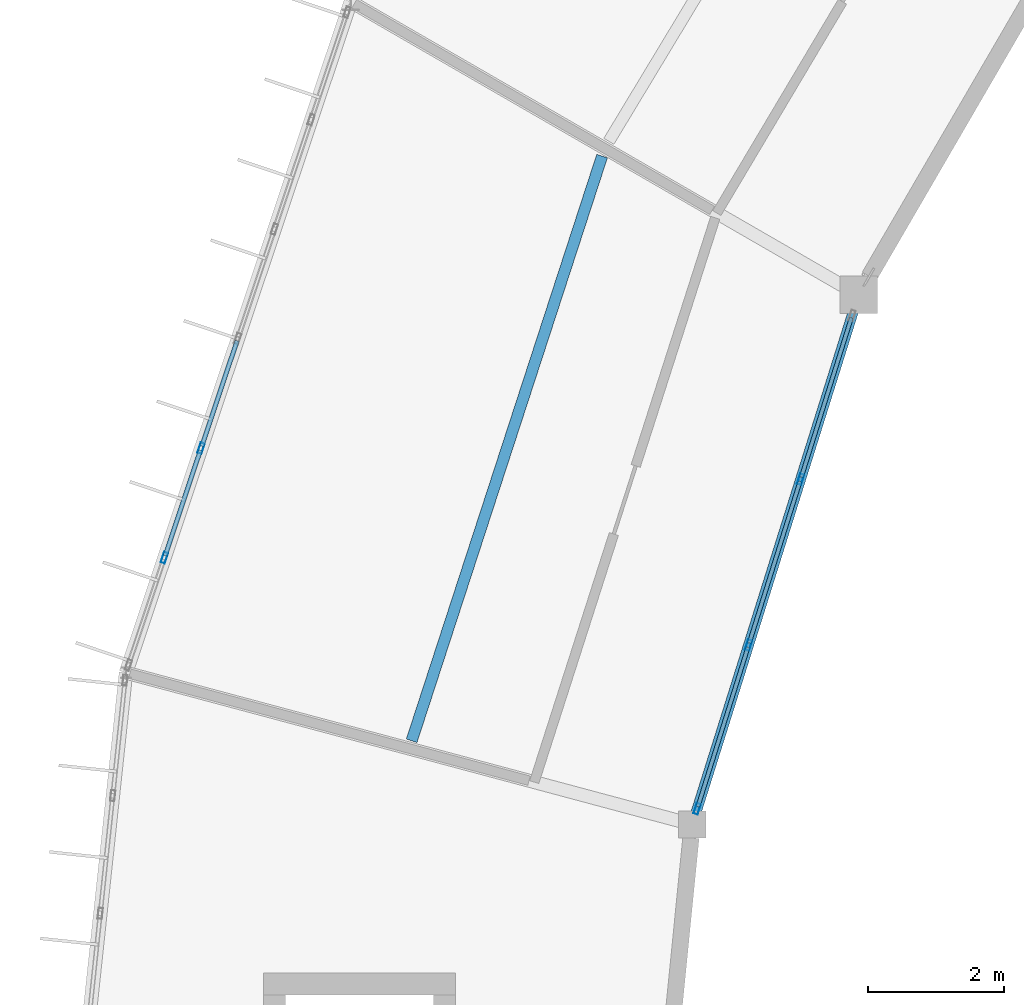
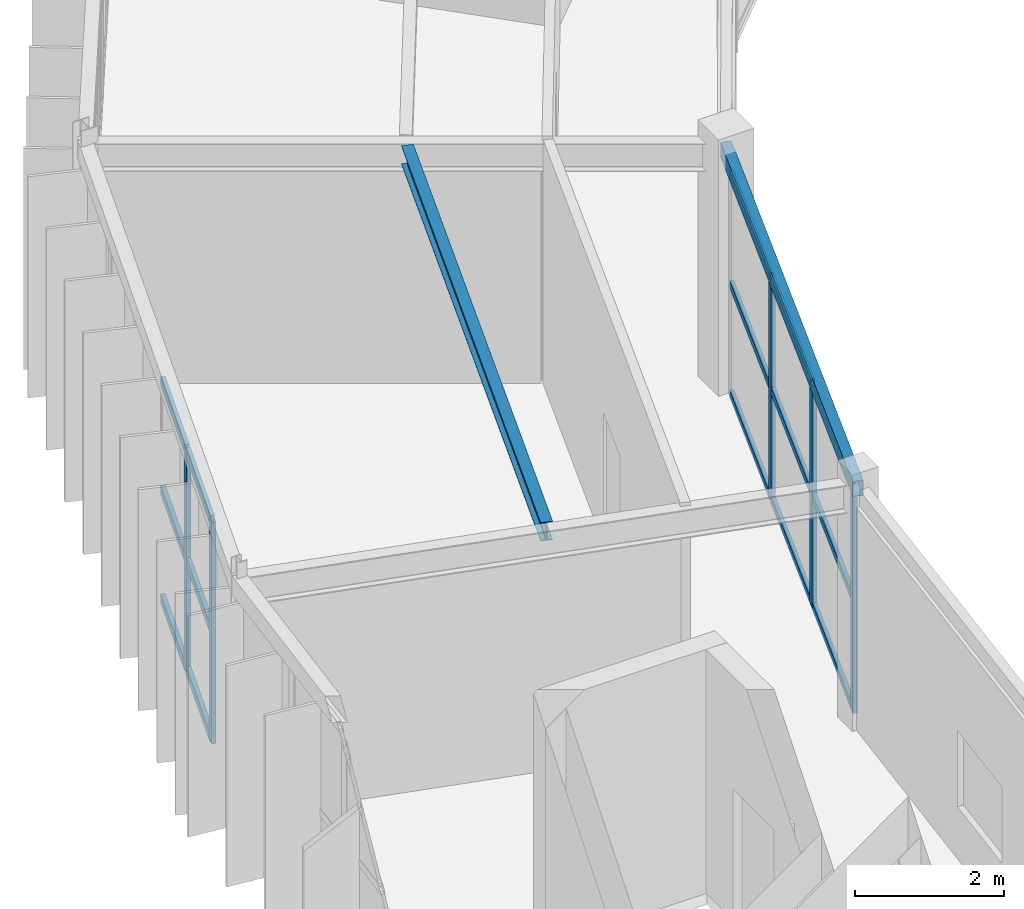
# One storey, part 40 of 130: 20 members, 2 beams, 2 elements without a shape of their own.
"""IFC4 building model written with IfcOpenShell, lengths in metres."""

import ifcopenshell
import ifcopenshell.guid

model = None  # the IFC model being written
_history = None  # IfcOwnerHistory: only IFC2X3 demands one
_inside = {}  # id of a spatial element -> (the spatial element, [elements in it])
_under = {}  # id of a project, library or spatial element -> (it, [spatial elements below it])
_declared = {}  # id of a project -> (the project, [libraries it declares])
_typed = {}  # id of a type object -> (the type object, [elements of that type])
_made_of = {}  # id of a material, layer set ... -> (it, [elements and type objects made of it])


def new_model(schema):
    """Start an empty IFC model of exactly this schema.

    Asked for "IFC4X3", IfcOpenShell would pick the latest addendum, in which some entities
    have other attributes; the version numbers below select the first issue.
    IFC2X3 requires an IfcOwnerHistory on every rooted entity: one is made here for all.
    """
    global model, _history
    if schema == "IFC4X3":
        model = ifcopenshell.file(schema_version=(4, 3, 0, 0))
    else:
        model = ifcopenshell.file(schema=schema)
    _inside.clear()
    _under.clear()
    _declared.clear()
    _typed.clear()
    _made_of.clear()
    _history = None
    if model.schema == "IFC2X3":
        org = make("IfcOrganization", Name="unknown")
        user = make(
            "IfcPersonAndOrganization",
            ThePerson=make("IfcPerson", FamilyName="unknown"),
            TheOrganization=org,
        )
        app = make(
            "IfcApplication",
            ApplicationDeveloper=org,
            Version="unknown",
            ApplicationFullName="unknown",
            ApplicationIdentifier="unknown",
        )
        _history = make(
            "IfcOwnerHistory",
            OwningUser=user,
            OwningApplication=app,
            ChangeAction="ADDED",
            CreationDate=0,
        )
    return model


def make(cls, **values):
    """One entity of the class cls with the attributes given. An attribute that is None is left unset."""
    return model.create_entity(
        cls, **{name: value for name, value in values.items() if value is not None}
    )


def rooted(cls, **values):
    """An entity with a GlobalId (a new one), such as an element, a storey or a relation."""
    return make(cls, GlobalId=ifcopenshell.guid.new(), OwnerHistory=_history, **values)


def si_unit(unit_type, name, prefix=None):
    """IfcSIUnit, for example si_unit("LENGTHUNIT", "METRE", prefix="MILLI")."""
    return make("IfcSIUnit", UnitType=unit_type, Prefix=prefix, Name=name)


def assignment(units):
    """IfcUnitAssignment: the units of a project."""
    return None if units is None else make("IfcUnitAssignment", Units=units)


def point(xyz):
    """IfcCartesianPoint."""
    return None if xyz is None else make("IfcCartesianPoint", Coordinates=xyz)


def direction(xyz):
    """IfcDirection."""
    return None if xyz is None else make("IfcDirection", DirectionRatios=xyz)


def frame(location, z_axis=None, x_axis=None):
    """IfcAxis2Placement3D, a coordinate frame: its origin and axes. An axis left out is left unset."""
    return make(
        "IfcAxis2Placement3D",
        Location=point(location),
        Axis=direction(z_axis),
        RefDirection=direction(x_axis),
    )


def frame_2d(location, x_axis=None):
    """IfcAxis2Placement2D, a coordinate frame in the plane: its origin and x axis."""
    return make(
        "IfcAxis2Placement2D", Location=point(location), RefDirection=direction(x_axis)
    )


def origin():
    """The frame at (0, 0, 0) with its axes left unset."""
    return frame((0.0, 0.0, 0.0))


def origin_2d():
    """The frame at (0, 0) in the plane with its x axis left unset."""
    return frame_2d((0.0, 0.0))


def place(relative_to, where):
    """IfcLocalPlacement: puts the frame where relative to a parent placement (None: the world)."""
    return make(
        "IfcLocalPlacement", PlacementRelTo=relative_to, RelativePlacement=where
    )


def context(
    kind, dimensions, precision=None, world=None, true_north=None, identifier=None
):
    """IfcGeometricRepresentationContext, for example the 3D "Model" context."""
    return make(
        "IfcGeometricRepresentationContext",
        ContextIdentifier=identifier,
        ContextType=kind,
        CoordinateSpaceDimension=dimensions,
        Precision=precision,
        WorldCoordinateSystem=world,
        TrueNorth=true_north,
    )


def subcontext(parent, identifier, kind, view, scale=None):
    """IfcGeometricRepresentationSubContext, for example "Body" below "Model"."""
    return make(
        "IfcGeometricRepresentationSubContext",
        ContextIdentifier=identifier,
        ContextType=kind,
        ParentContext=parent,
        TargetScale=scale,
        TargetView=view,
    )


def project(units=None, contexts=None):
    """IfcProject with its units and contexts."""
    return rooted(
        "IfcProject",
        Name="project",
        RepresentationContexts=contexts,
        UnitsInContext=assignment(units),
    )


def spatial(cls, under=None, at=None, **own):
    """A site, building, storey or space (cls), placed at a placement, below another one or the project."""
    s = rooted(cls, ObjectPlacement=at, **own)
    if under is not None:
        _under.setdefault(under.id(), (under, []))[1].append(s)
    return s


def profile(cls, at=None, kind="AREA", **sizes):
    """A parametric profile (cls). Its sizes go by their IFC names, for example OverallWidth=200.0."""
    return make(cls, ProfileType=kind, Position=at, **sizes)


def hollow_rectangle(**sizes):
    """IfcRectangleHollowProfileDef."""
    return profile("IfcRectangleHollowProfileDef", **sizes)


def i_section(**sizes):
    """IfcIShapeProfileDef."""
    return profile("IfcIShapeProfileDef", **sizes)


def extrude(swept, where, along, depth):
    """IfcExtrudedAreaSolid: the profile swept, set in the frame where, extruded along a direction by depth."""
    return make(
        "IfcExtrudedAreaSolid",
        SweptArea=swept,
        Position=where,
        ExtrudedDirection=direction(along),
        Depth=depth,
    )


def shape(context_of_items, identifier, shape_type, items):
    """IfcShapeRepresentation: the items that make up one representation, for example the "Body"."""
    return make(
        "IfcShapeRepresentation",
        ContextOfItems=context_of_items,
        RepresentationIdentifier=identifier,
        RepresentationType=shape_type,
        Items=items,
    )


def material(Name=None, Category=None):
    """IfcMaterial."""
    return make("IfcMaterial", Name=Name, Category=Category)


def material_profile(
    of_material, cross_section, Name=None, Category=None, Priority=None
):
    """IfcMaterialProfile: a cross section and its material."""
    return make(
        "IfcMaterialProfile",
        Name=Name,
        Material=of_material,
        Profile=cross_section,
        Priority=Priority,
        Category=Category,
    )


def profile_set(profiles, Name=None, composite=None):
    """IfcMaterialProfileSet."""
    return make(
        "IfcMaterialProfileSet",
        Name=Name,
        MaterialProfiles=profiles,
        CompositeProfile=composite,
    )


def made_of(thing, what):
    """Note that an element or type object is made of a material, layer set ...; save() writes the relation."""
    if what is not None:
        _made_of.setdefault(what.id(), (what, []))[1].append(thing)
    return thing


def type_object(cls, material=None, **own):
    """A type object (cls), such as IfcWallType, which elements share."""
    return made_of(rooted(cls, **own), material)


def element(
    cls,
    number,
    at=None,
    inside=None,
    cuts=None,
    type_object=None,
    material=None,
    context=None,
    identifier="Body",
    shape_type=None,
    held_by="IfcProductDefinitionShape",
    body=None,
    shapes=None,
    **own,
):
    """One element of the class cls, such as IfcWall. Its Tag is "e" and its number.

    at: its placement. inside: the storey or other place that contains it. cuts: it is an
    opening in that element (IfcRelVoidsElement). A single representation is given by context,
    identifier, shape_type and body (its items); several are given by shapes. held_by: the class
    of the entity that holds the representations. save() writes the other relations.
    """
    e = rooted(cls, Tag="e%d" % number, ObjectPlacement=at, **own)
    if body is not None:
        shapes = [shape(context, identifier, shape_type, body)]
    if shapes is not None:
        e.Representation = make(held_by, Representations=shapes)
    if inside is not None:
        _inside.setdefault(inside.id(), (inside, []))[1].append(e)
    if cuts is not None:
        rooted(
            "IfcRelVoidsElement", RelatingBuildingElement=cuts, RelatedOpeningElement=e
        )
    if type_object is not None:
        _typed.setdefault(type_object.id(), (type_object, []))[1].append(e)
    return made_of(e, material)


def aggregate(whole, parts):
    """IfcRelAggregates: a whole, such as a stair, and the parts it consists of."""
    return rooted("IfcRelAggregates", RelatingObject=whole, RelatedObjects=parts)


def save(model, path):
    """Write the relations noted so far, then the file.

    IfcRelAggregates (storeys below a building ...), IfcRelContainedInSpatialStructure (elements
    in a storey), IfcRelDefinesByType, IfcRelAssociatesMaterial and IfcRelDeclares: one each for
    every whole, place, type object, material and project.
    """
    for whole, parts in _under.values():
        aggregate(whole, parts)
    for where, things in _inside.values():
        rooted(
            "IfcRelContainedInSpatialStructure",
            RelatedElements=things,
            RelatingStructure=where,
        )
    for kind, things in _typed.values():
        rooted("IfcRelDefinesByType", RelatedObjects=things, RelatingType=kind)
    for what, things in _made_of.values():
        rooted("IfcRelAssociatesMaterial", RelatedObjects=things, RelatingMaterial=what)
    for by, libraries in _declared.values():
        rooted("IfcRelDeclares", RelatingContext=by, RelatedDefinitions=libraries)
    model.write(path)


model = new_model("IFC4")

# Units and contexts
model_context = context("Model", 3, precision=1e-05, world=origin(), true_north=direction((0.0, 1.0)))
body_context = subcontext(model_context, "Body", "Model", "MODEL_VIEW")
ifc_project = project(units=[si_unit("LENGTHUNIT", "METRE"), si_unit("AREAUNIT", "SQUARE_METRE"), si_unit("VOLUMEUNIT", "CUBIC_METRE"), si_unit("PLANEANGLEUNIT", "RADIAN"), si_unit("MASSUNIT", "GRAM", prefix="KILO")], contexts=[model_context])

# Site, building, storey
site_placement = place(None, origin())
site = spatial("IfcSite", under=ifc_project, at=site_placement, CompositionType="ELEMENT")
building_placement = place(site_placement, origin())
building = spatial("IfcBuilding", under=site, at=building_placement, Name="Karori Crest Natural Sciences Institute", CompositionType="ELEMENT")
storey_placement = place(building_placement, frame((0.0, 0.0, 17.5)))
storey = spatial("IfcBuildingStorey", under=building, at=storey_placement, Name="L04", CompositionType="ELEMENT", Elevation=17.5)

# Beams
ifc_material_1 = material(Name="Structural steel AS/NZS 3679.1 Grade 350", Category="steel")
ifc_material_profile_1 = material_profile(ifc_material_1, i_section(OverallWidth=0.1650390625, OverallDepth=0.303955078125, WebThickness=0.006103515625, FlangeThickness=0.01025390625, FilletRadius=0.010986328125, at=origin_2d()), Name="310UB40.4")
ifc_profile_set_1 = profile_set([ifc_material_profile_1], Name="Structural steel AS/NZS 3679.1 Grade 350")
beam_type_1 = type_object("IfcBeamType", Name="BT-10", PredefinedType="BEAM", material=ifc_profile_set_1)
beam_1_placement = place(storey_placement, frame((41.5078125, 68.035888671875, 3.7880859375), z_axis=(-0.309674277679, -0.950842700842, 0.0), x_axis=(0.950842700842, -0.309674277679, 0.0)))
element("IfcBeam", 1, at=beam_1_placement, inside=storey, type_object=beam_type_1, Name="Beam B-0492", PredefinedType="BEAM", context=body_context, shape_type="SweptSolid", body=[
    extrude(i_section(OverallWidth=0.1650390625, OverallDepth=0.303955078125, WebThickness=0.006103515625, FlangeThickness=0.01025390625, FilletRadius=0.010986328125, at=origin_2d()), origin(), (0.0, 0.0, 1.0), 9.018310546875),
])
ifc_material_2 = material(Name="Hollow structural steel AS/NZS 1163 Grade C350", Category="steel")
ifc_material_profile_2 = material_profile(ifc_material_2, hollow_rectangle(XDim=0.14990234375, YDim=0.25, WallThickness=0.009033203125, at=origin_2d()), Name="RHS250x150x9")
ifc_profile_set_2 = profile_set([ifc_material_profile_2], Name="Hollow structural steel AS/NZS 1163 Grade C350")
beam_type_2 = type_object("IfcBeamType", Name="BT-16", PredefinedType="SPANDREL", material=ifc_profile_set_2)
beam_2_placement = place(storey_placement, frame((45.26904296875, 66.0, 3.7900390625), z_axis=(-0.299487310016, -0.954100283586, 0.0), x_axis=(0.954100283586, -0.299487310016, 0.0)))
element("IfcBeam", 2, at=beam_2_placement, inside=storey, type_object=beam_type_2, Name="Beam B-0490", PredefinedType="SPANDREL", context=body_context, shape_type="SweptSolid", body=[
    extrude(hollow_rectangle(XDim=0.14990234375, YDim=0.25, WallThickness=0.009033203125, at=origin_2d()), origin(), (0.0, 0.0, 1.0), 8.1396484375),
])

# Curtain wall, members
ifc_material_3 = material(Name="Anodised architectural aluminium 6063-T6", Category="aluminium")
curtain_wall_type_1 = type_object("IfcCurtainWallType", Name="CWT-01", PredefinedType="NOTDEFINED", material=ifc_material_3)
curtain_wall_1_placement = place(storey_placement, origin())
curtain_wall_1 = element("IfcCurtainWall", 3, at=curtain_wall_1_placement, inside=storey, type_object=curtain_wall_type_1, Name="Curtain wall CW-0151", PredefinedType="NOTDEFINED")
ifc_material_profile_3 = material_profile(ifc_material_3, hollow_rectangle(XDim=0.06494140625, YDim=0.159912109375, WallThickness=0.00390625, at=origin_2d()), Name="CWM160x65x4")
ifc_profile_set_3 = profile_set([ifc_material_profile_3], Name="Anodised architectural aluminium 6063-T6")
member_type_1 = type_object("IfcMemberType", Name="CWM-01", PredefinedType="MULLION", material=ifc_profile_set_3)
member_1_placement = place(storey_placement, frame((35.0888671875, 62.14501953125, 0.0), z_axis=(0.0, 0.0, 1.0), x_axis=(-0.94819805026, 0.317679803392, 0.0)))
member_1 = element("IfcMember", 4, at=member_1_placement, type_object=member_type_1, Name="CW-0151 mullion 2", PredefinedType="MULLION", context=body_context, shape_type="SweptSolid", body=[
    extrude(hollow_rectangle(XDim=0.06494140625, YDim=0.159912109375, WallThickness=0.00390625, at=origin_2d()), origin(), (0.0, 0.0, 1.0), 3.625),
])
member_2_placement = place(storey_placement, frame((35.626953125, 63.7509765625, 0.0), z_axis=(0.0, 0.0, 1.0), x_axis=(-0.94819805026, 0.317679803392, 0.0)))
member_2 = element("IfcMember", 5, at=member_2_placement, type_object=member_type_1, Name="CW-0151 mullion 3", PredefinedType="MULLION", context=body_context, shape_type="SweptSolid", body=[
    extrude(hollow_rectangle(XDim=0.06494140625, YDim=0.159912109375, WallThickness=0.00390625, at=origin_2d()), origin(), (0.0, 0.0, 1.0), 3.625),
])

curtain_wall_type_2 = type_object("IfcCurtainWallType", Name="CWT-11", PredefinedType="NOTDEFINED", material=ifc_material_3)
curtain_wall_2_placement = place(storey_placement, origin())
curtain_wall_2 = element("IfcCurtainWall", 6, at=curtain_wall_2_placement, inside=storey, type_object=curtain_wall_type_2, Name="Curtain wall CW-0152", PredefinedType="NOTDEFINED")
member_3_placement = place(storey_placement, frame((44.420166015625, 63.29541015625, 0.0), z_axis=(0.0, 0.0, 1.0), x_axis=(0.954104067778, -0.299475254154, 0.0)))
member_3 = element("IfcMember", 7, at=member_3_placement, type_object=member_type_1, Name="CW-0152 mullion 2", PredefinedType="MULLION", context=body_context, shape_type="SweptSolid", body=[
    extrude(hollow_rectangle(XDim=0.06494140625, YDim=0.159912109375, WallThickness=0.00390625, at=origin_2d()), origin(), (0.0, 0.0, 1.0), 3.64990234375),
])
member_4_placement = place(storey_placement, frame((43.65673828125, 60.86376953125, 0.0), z_axis=(0.0, 0.0, 1.0), x_axis=(0.954104067778, -0.299475254154, 0.0)))
member_4 = element("IfcMember", 8, at=member_4_placement, type_object=member_type_1, Name="CW-0152 mullion 3", PredefinedType="MULLION", context=body_context, shape_type="SweptSolid", body=[
    extrude(hollow_rectangle(XDim=0.06494140625, YDim=0.159912109375, WallThickness=0.00390625, at=origin_2d()), origin(), (0.0, 0.0, 1.0), 3.64990234375),
])
member_5_placement = place(storey_placement, frame((42.9033203125, 58.463134765625, 0.0), z_axis=(0.0, 0.0, 1.0), x_axis=(0.954104067778, -0.299475254154, 0.0)))
member_5 = element("IfcMember", 9, at=member_5_placement, type_object=member_type_1, Name="CW-0152 mullion 4", PredefinedType="MULLION", context=body_context, shape_type="SweptSolid", body=[
    extrude(hollow_rectangle(XDim=0.06494140625, YDim=0.159912109375, WallThickness=0.00390625, at=origin_2d()), origin(), (0.0, 0.0, 1.0), 3.64990234375),
])
ifc_material_profile_4 = material_profile(ifc_material_3, hollow_rectangle(XDim=0.06005859375, YDim=0.1201171875, WallThickness=0.00390625, at=origin_2d()), Name="CWT120x60x4")
ifc_profile_set_4 = profile_set([ifc_material_profile_4], Name="Anodised architectural aluminium 6063-T6")
member_type_2 = type_object("IfcMemberType", Name="CWT-TR1", PredefinedType="USERDEFINED", material=ifc_profile_set_4)
member_6_placement = place(storey_placement, frame((45.163818359375, 65.664794921875, 0.030029296875), z_axis=(-0.299533888531, -0.954085661574, 0.0), x_axis=(0.954085661574, -0.299533888531, 0.0)))
member_6 = element("IfcMember", 10, at=member_6_placement, type_object=member_type_2, Name="CW-0152 transom 1.1", ObjectType="TRANSOM", PredefinedType="USERDEFINED", context=body_context, shape_type="SweptSolid", body=[
    extrude(hollow_rectangle(XDim=0.06005859375, YDim=0.1201171875, WallThickness=0.00390625, at=origin_2d()), origin(), (0.0, 0.0, 1.0), 2.450927734375),
])
member_7_placement = place(storey_placement, frame((45.163818359375, 65.664794921875, 1.824951171875), z_axis=(-0.299533888531, -0.954085661574, 0.0), x_axis=(0.954085661574, -0.299533888531, 0.0)))
member_7 = element("IfcMember", 11, at=member_7_placement, type_object=member_type_2, Name="CW-0152 transom 1.2", ObjectType="TRANSOM", PredefinedType="USERDEFINED", context=body_context, shape_type="SweptSolid", body=[
    extrude(hollow_rectangle(XDim=0.06005859375, YDim=0.1201171875, WallThickness=0.00390625, at=origin_2d()), origin(), (0.0, 0.0, 1.0), 2.450927734375),
])
member_8_placement = place(storey_placement, frame((45.163818359375, 65.664794921875, 3.6201171875), z_axis=(-0.299533888531, -0.954085661574, 0.0), x_axis=(0.954085661574, -0.299533888531, 0.0)))
member_8 = element("IfcMember", 12, at=member_8_placement, type_object=member_type_2, Name="CW-0152 transom 1.3", ObjectType="TRANSOM", PredefinedType="USERDEFINED", context=body_context, shape_type="SweptSolid", body=[
    extrude(hollow_rectangle(XDim=0.06005859375, YDim=0.1201171875, WallThickness=0.00390625, at=origin_2d()), origin(), (0.0, 0.0, 1.0), 2.450927734375),
])
member_9_placement = place(storey_placement, frame((44.410400390625, 63.264404296875, 0.030029296875), z_axis=(-0.299517296731, -0.954090870389, 0.0), x_axis=(0.954090870389, -0.299517296731, 0.0)))
member_9 = element("IfcMember", 13, at=member_9_placement, type_object=member_type_2, Name="CW-0152 transom 2.1", ObjectType="TRANSOM", PredefinedType="USERDEFINED", context=body_context, shape_type="SweptSolid", body=[
    extrude(hollow_rectangle(XDim=0.06005859375, YDim=0.1201171875, WallThickness=0.00390625, at=origin_2d()), origin(), (0.0, 0.0, 1.0), 2.483642578125),
])
member_10_placement = place(storey_placement, frame((44.410400390625, 63.264404296875, 1.824951171875), z_axis=(-0.299517296731, -0.954090870389, 0.0), x_axis=(0.954090870389, -0.299517296731, 0.0)))
member_10 = element("IfcMember", 14, at=member_10_placement, type_object=member_type_2, Name="CW-0152 transom 2.2", ObjectType="TRANSOM", PredefinedType="USERDEFINED", context=body_context, shape_type="SweptSolid", body=[
    extrude(hollow_rectangle(XDim=0.06005859375, YDim=0.1201171875, WallThickness=0.00390625, at=origin_2d()), origin(), (0.0, 0.0, 1.0), 2.483642578125),
])
member_11_placement = place(storey_placement, frame((44.410400390625, 63.264404296875, 3.6201171875), z_axis=(-0.299517296731, -0.954090870389, 0.0), x_axis=(0.954090870389, -0.299517296731, 0.0)))
member_11 = element("IfcMember", 15, at=member_11_placement, type_object=member_type_2, Name="CW-0152 transom 2.3", ObjectType="TRANSOM", PredefinedType="USERDEFINED", context=body_context, shape_type="SweptSolid", body=[
    extrude(hollow_rectangle(XDim=0.06005859375, YDim=0.1201171875, WallThickness=0.00390625, at=origin_2d()), origin(), (0.0, 0.0, 1.0), 2.483642578125),
])
member_12_placement = place(storey_placement, frame((43.647216796875, 60.832763671875, 0.030029296875), z_axis=(-0.29950542383, -0.954094597562, 0.0), x_axis=(0.954094597562, -0.29950542383, 0.0)))
member_12 = element("IfcMember", 16, at=member_12_placement, type_object=member_type_2, Name="CW-0152 transom 3.1", ObjectType="TRANSOM", PredefinedType="USERDEFINED", context=body_context, shape_type="SweptSolid", body=[
    extrude(hollow_rectangle(XDim=0.06005859375, YDim=0.1201171875, WallThickness=0.00390625, at=origin_2d()), origin(), (0.0, 0.0, 1.0), 2.451171875),
])
member_13_placement = place(storey_placement, frame((43.647216796875, 60.832763671875, 1.824951171875), z_axis=(-0.29950542383, -0.954094597562, 0.0), x_axis=(0.954094597562, -0.29950542383, 0.0)))
member_13 = element("IfcMember", 17, at=member_13_placement, type_object=member_type_2, Name="CW-0152 transom 3.2", ObjectType="TRANSOM", PredefinedType="USERDEFINED", context=body_context, shape_type="SweptSolid", body=[
    extrude(hollow_rectangle(XDim=0.06005859375, YDim=0.1201171875, WallThickness=0.00390625, at=origin_2d()), origin(), (0.0, 0.0, 1.0), 2.451171875),
])
member_14_placement = place(storey_placement, frame((43.647216796875, 60.832763671875, 3.6201171875), z_axis=(-0.29950542383, -0.954094597562, 0.0), x_axis=(0.954094597562, -0.29950542383, 0.0)))
member_14 = element("IfcMember", 18, at=member_14_placement, type_object=member_type_2, Name="CW-0152 transom 3.3", ObjectType="TRANSOM", PredefinedType="USERDEFINED", context=body_context, shape_type="SweptSolid", body=[
    extrude(hollow_rectangle(XDim=0.06005859375, YDim=0.1201171875, WallThickness=0.00390625, at=origin_2d()), origin(), (0.0, 0.0, 1.0), 2.451171875),
])
aggregate(curtain_wall_2, [member_3, member_4, member_5, member_6, member_7, member_8, member_9, member_10, member_11, member_12, member_13, member_14])

# Member
ifc_material_profile_5 = material_profile(ifc_material_3, hollow_rectangle(XDim=0.06494140625, YDim=0.14990234375, WallThickness=0.00390625, at=origin_2d()), Name="CWT150x65x4")
ifc_profile_set_5 = profile_set([ifc_material_profile_5], Name="Anodised architectural aluminium 6063-T6")
member_type_3 = type_object("IfcMemberType", Name="CWT-TR2", PredefinedType="USERDEFINED", material=ifc_profile_set_5)
member_15_placement = place(storey_placement, frame((35.099365234375, 62.17578125, 0.032470703125), z_axis=(0.317666571129, 0.948202483432, 0.0), x_axis=(-0.948202483432, 0.317666571129, 0.0)))
member_15 = element("IfcMember", 19, at=member_15_placement, type_object=member_type_3, Name="CW-0151 transom 2.1", ObjectType="TRANSOM", PredefinedType="USERDEFINED", context=body_context, shape_type="SweptSolid", body=[
    extrude(hollow_rectangle(XDim=0.06494140625, YDim=0.14990234375, WallThickness=0.00390625, at=origin_2d()), origin(), (0.0, 0.0, 1.0), 1.628662109375),
])

member_16_placement = place(storey_placement, frame((35.099365234375, 62.17578125, 1.8125), z_axis=(0.317666571129, 0.948202483432, 0.0), x_axis=(-0.948202483432, 0.317666571129, 0.0)))
member_16 = element("IfcMember", 20, at=member_16_placement, type_object=member_type_3, Name="CW-0151 transom 2.2", ObjectType="TRANSOM", PredefinedType="USERDEFINED", context=body_context, shape_type="SweptSolid", body=[
    extrude(hollow_rectangle(XDim=0.06494140625, YDim=0.14990234375, WallThickness=0.00390625, at=origin_2d()), origin(), (0.0, 0.0, 1.0), 1.628662109375),
])

member_17_placement = place(storey_placement, frame((35.099365234375, 62.17578125, 3.592529296875), z_axis=(0.317666571129, 0.948202483432, 0.0), x_axis=(-0.948202483432, 0.317666571129, 0.0)))
member_17 = element("IfcMember", 21, at=member_17_placement, type_object=member_type_3, Name="CW-0151 transom 2.3", ObjectType="TRANSOM", PredefinedType="USERDEFINED", context=body_context, shape_type="SweptSolid", body=[
    extrude(hollow_rectangle(XDim=0.06494140625, YDim=0.14990234375, WallThickness=0.00390625, at=origin_2d()), origin(), (0.0, 0.0, 1.0), 1.628662109375),
])

member_18_placement = place(storey_placement, frame((35.637451171875, 63.78173828125, 0.032470703125), z_axis=(0.317621421426, 0.948217608279, 0.0), x_axis=(-0.948217608279, 0.317621421426, 0.0)))
member_18 = element("IfcMember", 22, at=member_18_placement, type_object=member_type_3, Name="CW-0151 transom 3.1", ObjectType="TRANSOM", PredefinedType="USERDEFINED", context=body_context, shape_type="SweptSolid", body=[
    extrude(hollow_rectangle(XDim=0.06494140625, YDim=0.14990234375, WallThickness=0.00390625, at=origin_2d()), origin(), (0.0, 0.0, 1.0), 1.628662109375),
])

member_19_placement = place(storey_placement, frame((35.637451171875, 63.78173828125, 1.8125), z_axis=(0.317621421426, 0.948217608279, 0.0), x_axis=(-0.948217608279, 0.317621421426, 0.0)))
member_19 = element("IfcMember", 23, at=member_19_placement, type_object=member_type_3, Name="CW-0151 transom 3.2", ObjectType="TRANSOM", PredefinedType="USERDEFINED", context=body_context, shape_type="SweptSolid", body=[
    extrude(hollow_rectangle(XDim=0.06494140625, YDim=0.14990234375, WallThickness=0.00390625, at=origin_2d()), origin(), (0.0, 0.0, 1.0), 1.628662109375),
])

member_20_placement = place(storey_placement, frame((35.637451171875, 63.78173828125, 3.592529296875), z_axis=(0.317621421426, 0.948217608279, 0.0), x_axis=(-0.948217608279, 0.317621421426, 0.0)))
member_20 = element("IfcMember", 24, at=member_20_placement, type_object=member_type_3, Name="CW-0151 transom 3.3", ObjectType="TRANSOM", PredefinedType="USERDEFINED", context=body_context, shape_type="SweptSolid", body=[
    extrude(hollow_rectangle(XDim=0.06494140625, YDim=0.14990234375, WallThickness=0.00390625, at=origin_2d()), origin(), (0.0, 0.0, 1.0), 1.628662109375),
])

aggregate(curtain_wall_1, [member_1, member_2, member_15, member_16, member_17, member_18, member_19, member_20])

save(model, "model.ifc")
